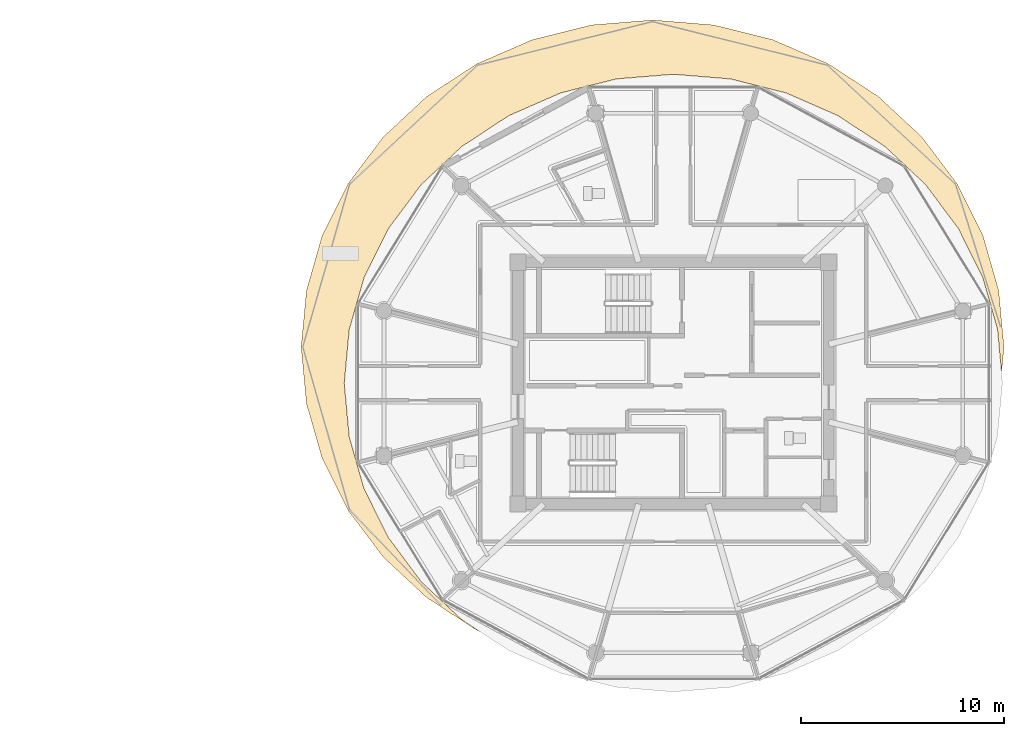
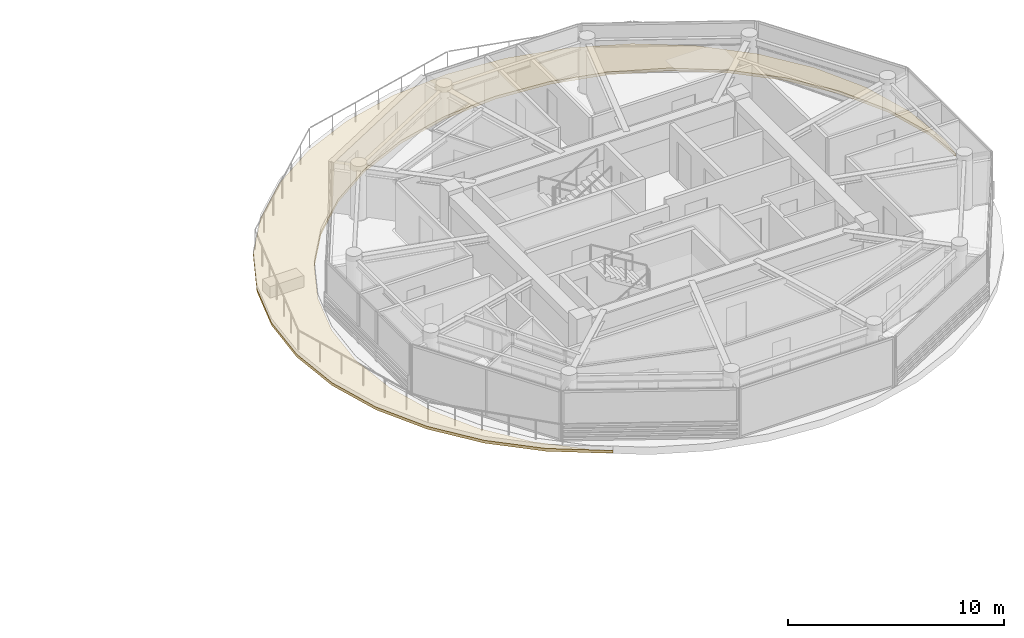
# One storey, part 23 of 28: 1 covering.
"""IFC4 building model written with IfcOpenShell, lengths in metres."""

from ifc_helpers import new_model, si_unit, direction, frame, origin, place, context, subcontext, project, spatial, polyline, outline, extrude, material, layer, layer_set, type_object, element, save


model = new_model("IFC4")

# Units and contexts
model_context = context("Model", 3, precision=1e-05, world=origin(), true_north=direction((0.0, 1.0)))
body_context = subcontext(model_context, "Body", "Model", "MODEL_VIEW")
ifc_project = project(units=[si_unit("LENGTHUNIT", "METRE"), si_unit("AREAUNIT", "SQUARE_METRE"), si_unit("VOLUMEUNIT", "CUBIC_METRE"), si_unit("PLANEANGLEUNIT", "RADIAN"), si_unit("MASSUNIT", "GRAM", prefix="KILO")], contexts=[model_context])

# Site, building, storey
site_placement = place(None, origin())
site = spatial("IfcSite", under=ifc_project, at=site_placement, CompositionType="ELEMENT")
building_placement = place(site_placement, origin())
building = spatial("IfcBuilding", under=site, at=building_placement, Name="Norrkilde Senior Care Towers", CompositionType="ELEMENT")
storey_placement = place(building_placement, frame((0.0, 0.0, 190.64990234375)))
storey = spatial("IfcBuildingStorey", under=building, at=storey_placement, Name="L59", CompositionType="ELEMENT", Elevation=190.64990234375)

# Covering
ifc_material = material(Name="EPDM Waterproofing and PIR Insulation")
ifc_layer = layer(ifc_material, 0.159912109375)
ifc_layer_set = layer_set([ifc_layer], Name="EPDM Waterproofing and PIR Insulation")
covering_type = type_object("IfcCoveringType", Name="Insulated EPDM Roof Membrane 160", PredefinedType="ROOFING", material=ifc_layer_set)
covering_placement = place(storey_placement, frame((0.0, 0.0, -0.389892578125)))
element("IfcCovering", 1, at=covering_placement, inside=storey, type_object=covering_type, Name="L59 Drum E Crescent Terrace Roof Membrane", PredefinedType="ROOFING", context=body_context, shape_type="SweptSolid", body=[
    extrude(outline(polyline([(18.324951171875, -12.167724609375), (15.854736328125, -10.557861328125), (13.722412109375, -8.573486328125), (11.99267578125, -6.274658203125), (10.71826171875, -3.731201171875), (9.937744140625, -1.020263671875), (9.675048828125, 1.775390625), (9.937744140625, 4.571044921875), (10.71826171875, 7.281982421875), (11.99267578125, 9.825439453125), (13.722412109375, 12.124267578125), (15.854736328125, 14.108642578125), (18.324951171875, 15.71826171875), (21.05810546875, 16.904296875), (23.970947265625, 17.630859375), (26.97509765625, 17.875244140625), (29.97900390625, 17.630859375), (32.891845703125, 16.904296875), (35.625, 15.71826171875), (38.09521484375, 14.108642578125), (40.2275390625, 12.124267578125), (41.957275390625, 9.825439453125), (43.231689453125, 7.281982421875), (44.01220703125, 4.571044921875), (44.27490234375, 1.775390625), (44.15673828125, 0.517578125), (43.958984375, 2.639892578125), (43.958740234375, 2.640380859375), (43.958740234375, 2.640869140625), (43.227783203125, 5.2001953125), (43.227783203125, 5.200439453125), (43.2275390625, 5.200927734375), (42.0341796875, 7.602294921875), (42.033935546875, 7.6025390625), (42.03369140625, 7.60302734375), (40.413818359375, 9.7734375), (40.41357421875, 9.773681640625), (40.413330078125, 9.77392578125), (38.41650390625, 11.6474609375), (38.416259765625, 11.647705078125), (38.416015625, 11.64794921875), (36.102783203125, 13.167724609375), (36.102294921875, 13.16796875), (36.10205078125, 13.168212890625), (33.542724609375, 14.287841796875), (33.542236328125, 14.2880859375), (33.5419921875, 14.2880859375), (30.814208984375, 14.973876953125), (30.81396484375, 14.97412109375), (30.8134765625, 14.97412109375), (28.00048828125, 15.205078125), (28.0, 15.205078125), (27.99951171875, 15.205078125), (25.1865234375, 14.97412109375), (25.18603515625, 14.97412109375), (25.185791015625, 14.973876953125), (22.4580078125, 14.2880859375), (22.457763671875, 14.2880859375), (22.457275390625, 14.287841796875), (19.89794921875, 13.168212890625), (19.897705078125, 13.16796875), (19.897216796875, 13.167724609375), (17.583984375, 11.64794921875), (17.583740234375, 11.647705078125), (17.58349609375, 11.6474609375), (15.586669921875, 9.77392578125), (15.58642578125, 9.773681640625), (15.586181640625, 9.7734375), (13.96630859375, 7.60302734375), (13.966064453125, 7.6025390625), (13.9658203125, 7.602294921875), (12.7724609375, 5.200927734375), (12.772216796875, 5.200439453125), (12.772216796875, 5.2001953125), (12.041259765625, 2.640869140625), (12.041259765625, 2.640380859375), (12.041015625, 2.639892578125), (11.794921875, 0.00048828125), (11.794921875, 0.0), (11.794921875, -0.00048828125), (12.041015625, -2.639892578125), (12.041259765625, -2.640380859375), (12.041259765625, -2.640869140625), (12.772216796875, -5.2001953125), (12.772216796875, -5.200439453125), (12.7724609375, -5.200927734375), (13.9658203125, -7.602294921875), (13.966064453125, -7.6025390625), (13.96630859375, -7.60302734375), (15.586181640625, -9.7734375), (15.58642578125, -9.773681640625), (15.586669921875, -9.77392578125), (17.58349609375, -11.6474609375), (17.583740234375, -11.647705078125), (17.583984375, -11.64794921875), (18.47216796875, -12.2314453125), (18.324951171875, -12.167724609375)])), origin(), (0.0, 0.0, 1.0), 0.159912109375),
])

save(model, "model.ifc")
